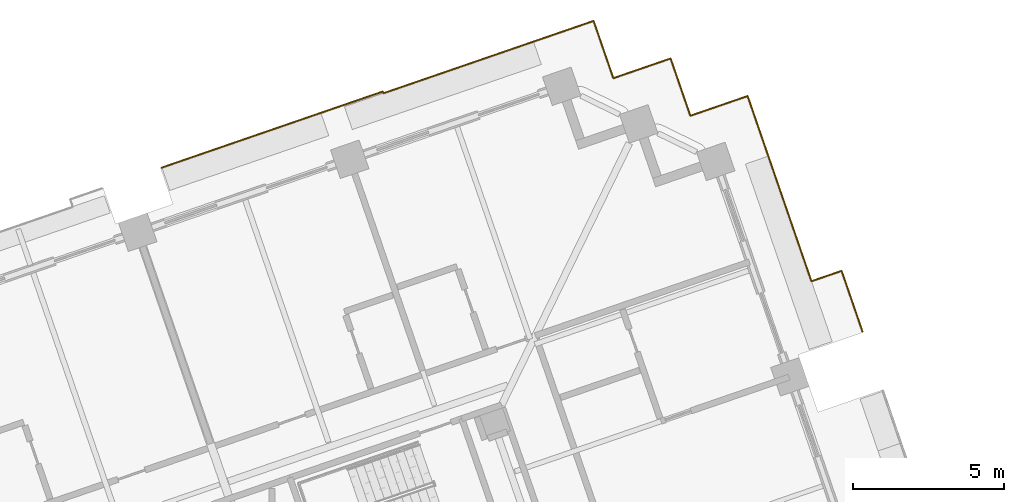
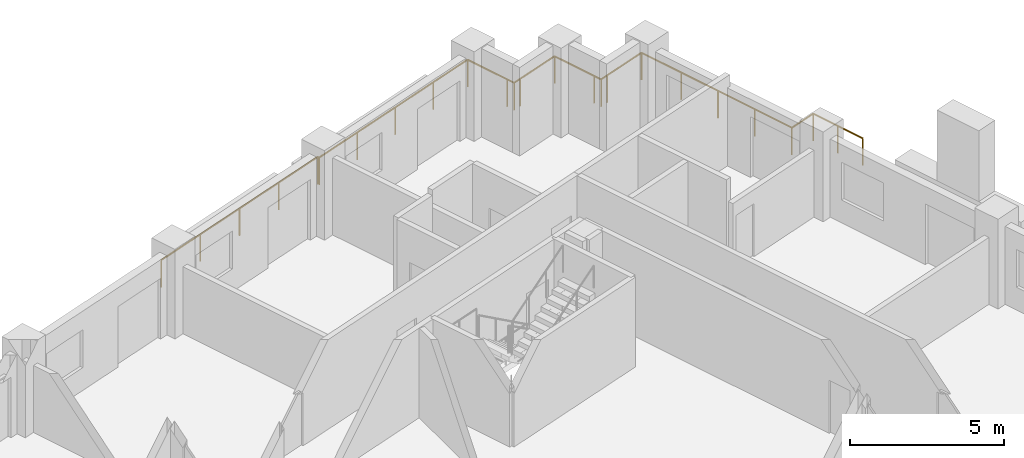
# One storey, part 21 of 22: 2 railings.
"""IFC4 building model written with IfcOpenShell, lengths in metres."""

from ifc_helpers import new_model, si_unit, direction, frame, origin, origin_2d, place, context, subcontext, project, spatial, circle, extrude, material, type_object, element, save


model = new_model("IFC4")

# Units and contexts
model_context = context("Model", 3, precision=1e-05, world=origin(), true_north=direction((0.0, 1.0)))
body_context = subcontext(model_context, "Body", "Model", "MODEL_VIEW")
ifc_project = project(units=[si_unit("LENGTHUNIT", "METRE"), si_unit("AREAUNIT", "SQUARE_METRE"), si_unit("VOLUMEUNIT", "CUBIC_METRE"), si_unit("PLANEANGLEUNIT", "RADIAN"), si_unit("MASSUNIT", "GRAM", prefix="KILO")], contexts=[model_context])

# Site, building, storey
site_placement = place(None, origin())
site = spatial("IfcSite", under=ifc_project, at=site_placement, CompositionType="ELEMENT")
building_placement = place(site_placement, origin())
building = spatial("IfcBuilding", under=site, at=building_placement, Name="Cantera Rosa Tower", CompositionType="ELEMENT")
storey_placement = place(building_placement, frame((0.0, 0.0, 104.10009765625)))
storey = spatial("IfcBuildingStorey", under=building, at=storey_placement, Name="L20", CompositionType="ELEMENT", Elevation=104.10009765625)

# Railings
ifc_material = material(Name="Stainless steel and laminated glass", Category="steel")
railing_type = type_object("IfcRailingType", Name="GUARD 1100", PredefinedType="BALUSTRADE", material=ifc_material)
railing_1_placement = place(storey_placement, frame((19.705810546875, 28.466552734375, 0.0)))
element("IfcRailing", 1, at=railing_1_placement, inside=storey, type_object=railing_type, Name="GUARD L20-12", PredefinedType="BALUSTRADE", context=body_context, shape_type="SweptSolid", body=[
    extrude(circle(Radius=0.030029296875, at=origin_2d()), frame((0.0, 0.0, 1.070068359375), z_axis=(0.325561349174, -0.945520918819, 0.0), x_axis=(0.945520918819, 0.325561349174, 0.0)), (0.0, 0.0, 1.0), 1.699951171875),
    extrude(circle(Radius=0.030029296875, at=origin_2d()), frame((0.553466796875, -1.607421875, 1.070068359375), z_axis=(0.325586514442, -0.94551225355, 0.0), x_axis=(0.94551225355, 0.325586514442, 0.0)), (0.0, 0.0, 1.0), 4.76611328125),
    extrude(circle(Radius=0.030029296875, at=origin_2d()), frame((2.105224609375, -6.11376953125, 1.070068359375), z_axis=(0.945557453336, 0.325455223404, 0.0), x_axis=(-0.325455223404, 0.945557453336, 0.0)), (0.0, 0.0, 1.0), 1.053955078125),
    extrude(circle(Radius=0.030029296875, at=origin_2d()), frame((3.101806640625, -5.770751953125, 1.070068359375), z_axis=(0.325523047431, -0.945534105991, 0.0), x_axis=(0.945534105991, 0.325523047431, 0.0)), (0.0, 0.0, 1.0), 2.1240234375),
    extrude(circle(Radius=0.02490234375, at=origin_2d()), origin(), (0.0, 0.0, 1.0), 1.0400390625),
    extrude(circle(Radius=0.02490234375, at=origin_2d()), frame((0.553466796875, -1.607421875, 0.0)), (0.0, 0.0, 1.0), 1.0400390625),
    extrude(circle(Radius=0.02490234375, at=origin_2d()), frame((1.07080078125, -3.109619140625, 0.0)), (0.0, 0.0, 1.0), 1.0400390625),
    extrude(circle(Radius=0.02490234375, at=origin_2d()), frame((1.587890625, -4.611572265625, 0.0)), (0.0, 0.0, 1.0), 1.0400390625),
    extrude(circle(Radius=0.02490234375, at=origin_2d()), frame((2.105224609375, -6.11376953125, 0.0)), (0.0, 0.0, 1.0), 1.0400390625),
    extrude(circle(Radius=0.02490234375, at=origin_2d()), frame((3.101806640625, -5.770751953125, 0.0)), (0.0, 0.0, 1.0), 1.0400390625),
    extrude(circle(Radius=0.02490234375, at=origin_2d()), frame((3.447509765625, -6.77490234375, 0.0)), (0.0, 0.0, 1.0), 1.0400390625),
    extrude(circle(Radius=0.02490234375, at=origin_2d()), frame((3.793212890625, -7.779052734375, 0.0)), (0.0, 0.0, 1.0), 1.0400390625),
])
railing_2_placement = place(storey_placement, frame((0.3525390625, 26.09814453125, 0.0)))
element("IfcRailing", 2, at=railing_2_placement, inside=storey, type_object=railing_type, Name="GUARD L20-13", PredefinedType="BALUSTRADE", context=body_context, shape_type="SweptSolid", body=[
    extrude(circle(Radius=0.030029296875, at=origin_2d()), frame((0.0, 0.0, 1.070068359375), z_axis=(0.945517189381, 0.325572180299, 0.0), x_axis=(-0.325572180299, 0.945517189381, 0.0)), (0.0, 0.0, 1.0), 7.731201171875),
    extrude(circle(Radius=0.030029296875, at=origin_2d()), frame((7.31005859375, 2.51708984375, 1.070068359375), z_axis=(0.325745820547, -0.945457381587, 0.0), x_axis=(0.945457381587, 0.325745820547, 0.0)), (0.0, 0.0, 1.0), 0.0615234375),
    extrude(circle(Radius=0.030029296875, at=origin_2d()), frame((7.330078125, 2.458984375, 1.070068359375), z_axis=(0.945524258857, 0.32555164861, 0.0), x_axis=(-0.32555164861, 0.945524258857, 0.0)), (0.0, 0.0, 1.0), 5.638671875),
    extrude(circle(Radius=0.030029296875, at=origin_2d()), frame((12.66162109375, 4.294677734375, 1.070068359375), z_axis=(0.945520918819, 0.325561349174, 0.0), x_axis=(-0.325561349174, 0.945520918819, 0.0)), (0.0, 0.0, 1.0), 1.699951171875),
    extrude(circle(Radius=0.030029296875, at=origin_2d()), frame((14.26904296875, 4.84814453125, 1.070068359375), z_axis=(0.325561349174, -0.945520918819, 0.0), x_axis=(0.945520918819, 0.325561349174, 0.0)), (0.0, 0.0, 1.0), 1.699951171875),
    extrude(circle(Radius=0.030029296875, at=origin_2d()), frame((14.822509765625, 3.24072265625, 1.070068359375), z_axis=(0.325489086777, -0.945545797087, 0.0), x_axis=(0.945545797087, 0.325489086777, 0.0)), (0.0, 0.0, 1.0), 0.300048828125),
    extrude(circle(Radius=0.030029296875, at=origin_2d()), frame((14.920166015625, 2.95703125, 1.070068359375), z_axis=(0.945459489149, 0.325739703411, 0.0), x_axis=(-0.325739703411, 0.945459489149, 0.0)), (0.0, 0.0, 1.0), 0.2998046875),
    extrude(circle(Radius=0.030029296875, at=origin_2d()), frame((15.20361328125, 3.0546875, 1.070068359375), z_axis=(0.945520918819, 0.325561349174, 0.0), x_axis=(-0.325561349174, 0.945520918819, 0.0)), (0.0, 0.0, 1.0), 1.699951171875),
    extrude(circle(Radius=0.030029296875, at=origin_2d()), frame((16.81103515625, 3.608154296875, 1.070068359375), z_axis=(0.325605561237, -0.945505694584, 0.0), x_axis=(0.945505694584, 0.325605561237, 0.0)), (0.0, 0.0, 1.0), 1.69970703125),
    extrude(circle(Radius=0.030029296875, at=origin_2d()), frame((17.364501953125, 2.0009765625, 1.070068359375), z_axis=(0.325489086777, -0.945545797087, 0.0), x_axis=(0.945545797087, 0.325489086777, 0.0)), (0.0, 0.0, 1.0), 0.300048828125),
    extrude(circle(Radius=0.030029296875, at=origin_2d()), frame((17.462158203125, 1.71728515625, 1.070068359375), z_axis=(0.945545797087, 0.325489086777, 0.0), x_axis=(-0.325489086777, 0.945545797087, 0.0)), (0.0, 0.0, 1.0), 0.300048828125),
    extrude(circle(Radius=0.030029296875, at=origin_2d()), frame((17.745849609375, 1.81494140625, 1.070068359375), z_axis=(0.945520918819, 0.325561349174, 0.0), x_axis=(-0.325561349174, 0.945520918819, 0.0)), (0.0, 0.0, 1.0), 1.699951171875),
    extrude(circle(Radius=0.02490234375, at=origin_2d()), origin(), (0.0, 0.0, 1.0), 1.0400390625),
    extrude(circle(Radius=0.02490234375, at=origin_2d()), frame((1.82763671875, 0.62939453125, 0.0)), (0.0, 0.0, 1.0), 1.0400390625),
    extrude(circle(Radius=0.02490234375, at=origin_2d()), frame((3.655029296875, 1.258544921875, 0.0)), (0.0, 0.0, 1.0), 1.0400390625),
    extrude(circle(Radius=0.02490234375, at=origin_2d()), frame((5.482421875, 1.8876953125, 0.0)), (0.0, 0.0, 1.0), 1.0400390625),
    extrude(circle(Radius=0.02490234375, at=origin_2d()), frame((7.31005859375, 2.51708984375, 0.0)), (0.0, 0.0, 1.0), 1.0400390625),
    extrude(circle(Radius=0.02490234375, at=origin_2d()), frame((7.330078125, 2.458984375, 0.0)), (0.0, 0.0, 1.0), 1.0400390625),
    extrude(circle(Radius=0.02490234375, at=origin_2d()), frame((9.107177734375, 3.07080078125, 0.0)), (0.0, 0.0, 1.0), 1.0400390625),
    extrude(circle(Radius=0.02490234375, at=origin_2d()), frame((10.884521484375, 3.682861328125, 0.0)), (0.0, 0.0, 1.0), 1.0400390625),
    extrude(circle(Radius=0.02490234375, at=origin_2d()), frame((12.66162109375, 4.294677734375, 0.0)), (0.0, 0.0, 1.0), 1.0400390625),
    extrude(circle(Radius=0.02490234375, at=origin_2d()), frame((14.26904296875, 4.84814453125, 0.0)), (0.0, 0.0, 1.0), 1.0400390625),
    extrude(circle(Radius=0.02490234375, at=origin_2d()), frame((14.822509765625, 3.24072265625, 0.0)), (0.0, 0.0, 1.0), 1.0400390625),
    extrude(circle(Radius=0.02490234375, at=origin_2d()), frame((14.920166015625, 2.95703125, 0.0)), (0.0, 0.0, 1.0), 1.0400390625),
    extrude(circle(Radius=0.02490234375, at=origin_2d()), frame((15.20361328125, 3.0546875, 0.0)), (0.0, 0.0, 1.0), 1.0400390625),
    extrude(circle(Radius=0.02490234375, at=origin_2d()), frame((16.81103515625, 3.608154296875, 0.0)), (0.0, 0.0, 1.0), 1.0400390625),
    extrude(circle(Radius=0.02490234375, at=origin_2d()), frame((17.364501953125, 2.0009765625, 0.0)), (0.0, 0.0, 1.0), 1.0400390625),
    extrude(circle(Radius=0.02490234375, at=origin_2d()), frame((17.462158203125, 1.71728515625, 0.0)), (0.0, 0.0, 1.0), 1.0400390625),
    extrude(circle(Radius=0.02490234375, at=origin_2d()), frame((17.745849609375, 1.81494140625, 0.0)), (0.0, 0.0, 1.0), 1.0400390625),
    extrude(circle(Radius=0.02490234375, at=origin_2d()), frame((19.353271484375, 2.368408203125, 0.0)), (0.0, 0.0, 1.0), 1.0400390625),
])

save(model, "model.ifc")
